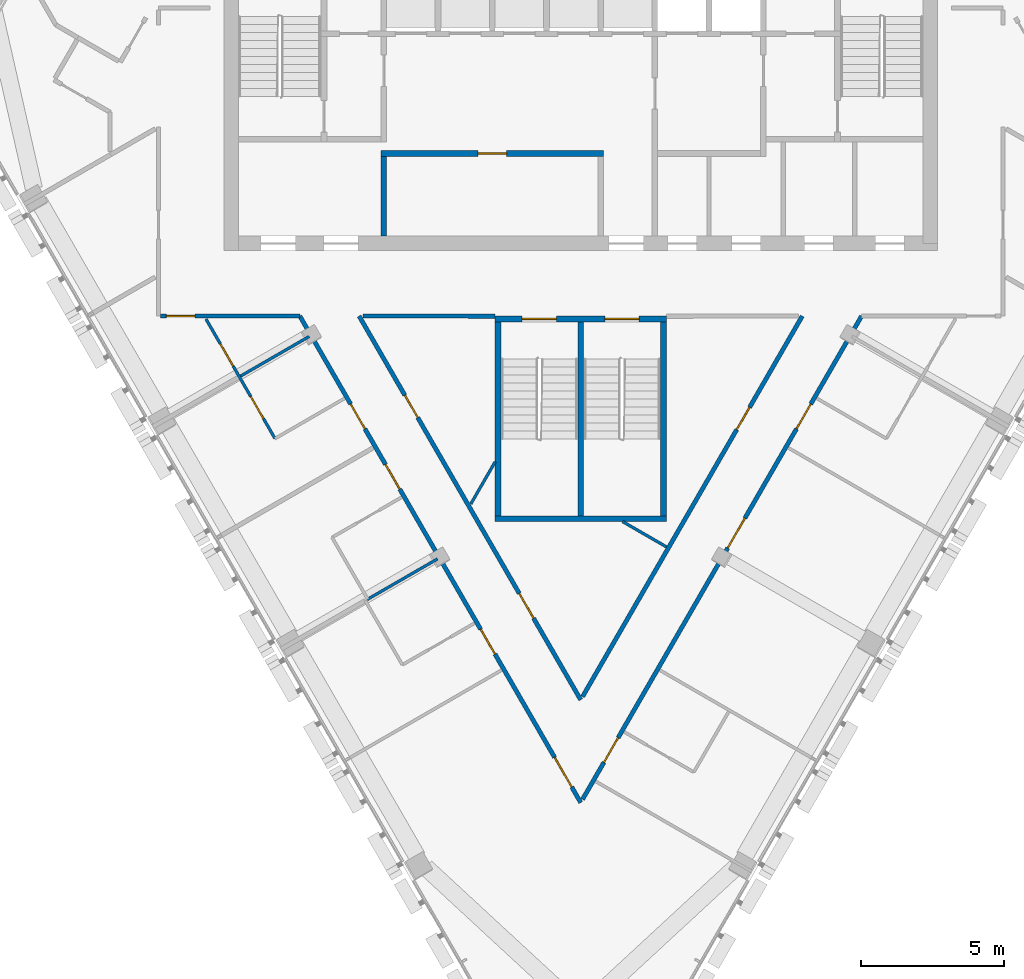
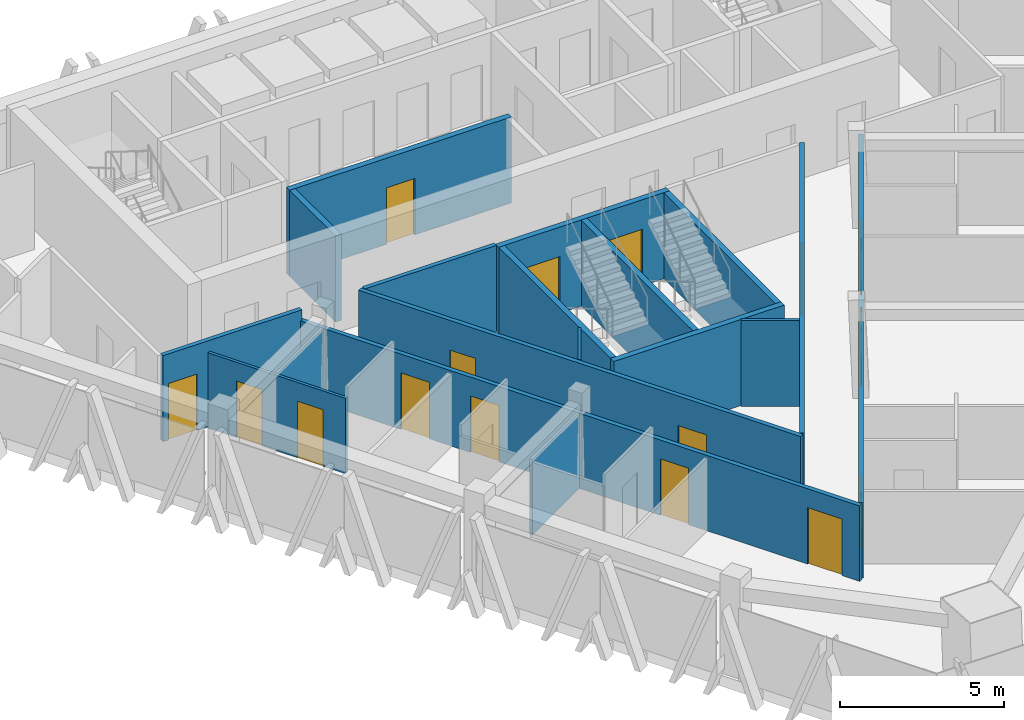
# One storey, part 8 of 14: 18 walls, 16 doors, 16 openings.
"""IFC4 building model written with IfcOpenShell, lengths in metres."""

import ifcopenshell
import ifcopenshell.guid

model = None  # the IFC model being written
_history = None  # IfcOwnerHistory: only IFC2X3 demands one
_inside = {}  # id of a spatial element -> (the spatial element, [elements in it])
_under = {}  # id of a project, library or spatial element -> (it, [spatial elements below it])
_declared = {}  # id of a project -> (the project, [libraries it declares])
_typed = {}  # id of a type object -> (the type object, [elements of that type])
_made_of = {}  # id of a material, layer set ... -> (it, [elements and type objects made of it])


def new_model(schema):
    """Start an empty IFC model of exactly this schema.

    Asked for "IFC4X3", IfcOpenShell would pick the latest addendum, in which some entities
    have other attributes; the version numbers below select the first issue.
    IFC2X3 requires an IfcOwnerHistory on every rooted entity: one is made here for all.
    """
    global model, _history
    if schema == "IFC4X3":
        model = ifcopenshell.file(schema_version=(4, 3, 0, 0))
    else:
        model = ifcopenshell.file(schema=schema)
    _inside.clear()
    _under.clear()
    _declared.clear()
    _typed.clear()
    _made_of.clear()
    _history = None
    if model.schema == "IFC2X3":
        org = make("IfcOrganization", Name="unknown")
        user = make(
            "IfcPersonAndOrganization",
            ThePerson=make("IfcPerson", FamilyName="unknown"),
            TheOrganization=org,
        )
        app = make(
            "IfcApplication",
            ApplicationDeveloper=org,
            Version="unknown",
            ApplicationFullName="unknown",
            ApplicationIdentifier="unknown",
        )
        _history = make(
            "IfcOwnerHistory",
            OwningUser=user,
            OwningApplication=app,
            ChangeAction="ADDED",
            CreationDate=0,
        )
    return model


def make(cls, **values):
    """One entity of the class cls with the attributes given. An attribute that is None is left unset."""
    return model.create_entity(
        cls, **{name: value for name, value in values.items() if value is not None}
    )


def rooted(cls, **values):
    """An entity with a GlobalId (a new one), such as an element, a storey or a relation."""
    return make(cls, GlobalId=ifcopenshell.guid.new(), OwnerHistory=_history, **values)


def si_unit(unit_type, name, prefix=None):
    """IfcSIUnit, for example si_unit("LENGTHUNIT", "METRE", prefix="MILLI")."""
    return make("IfcSIUnit", UnitType=unit_type, Prefix=prefix, Name=name)


def assignment(units):
    """IfcUnitAssignment: the units of a project."""
    return None if units is None else make("IfcUnitAssignment", Units=units)


def point(xyz):
    """IfcCartesianPoint."""
    return None if xyz is None else make("IfcCartesianPoint", Coordinates=xyz)


def direction(xyz):
    """IfcDirection."""
    return None if xyz is None else make("IfcDirection", DirectionRatios=xyz)


def frame(location, z_axis=None, x_axis=None):
    """IfcAxis2Placement3D, a coordinate frame: its origin and axes. An axis left out is left unset."""
    return make(
        "IfcAxis2Placement3D",
        Location=point(location),
        Axis=direction(z_axis),
        RefDirection=direction(x_axis),
    )


def frame_2d(location, x_axis=None):
    """IfcAxis2Placement2D, a coordinate frame in the plane: its origin and x axis."""
    return make(
        "IfcAxis2Placement2D", Location=point(location), RefDirection=direction(x_axis)
    )


def origin():
    """The frame at (0, 0, 0) with its axes left unset."""
    return frame((0.0, 0.0, 0.0))


def place(relative_to, where):
    """IfcLocalPlacement: puts the frame where relative to a parent placement (None: the world)."""
    return make(
        "IfcLocalPlacement", PlacementRelTo=relative_to, RelativePlacement=where
    )


def context(
    kind, dimensions, precision=None, world=None, true_north=None, identifier=None
):
    """IfcGeometricRepresentationContext, for example the 3D "Model" context."""
    return make(
        "IfcGeometricRepresentationContext",
        ContextIdentifier=identifier,
        ContextType=kind,
        CoordinateSpaceDimension=dimensions,
        Precision=precision,
        WorldCoordinateSystem=world,
        TrueNorth=true_north,
    )


def subcontext(parent, identifier, kind, view, scale=None):
    """IfcGeometricRepresentationSubContext, for example "Body" below "Model"."""
    return make(
        "IfcGeometricRepresentationSubContext",
        ContextIdentifier=identifier,
        ContextType=kind,
        ParentContext=parent,
        TargetScale=scale,
        TargetView=view,
    )


def project(units=None, contexts=None):
    """IfcProject with its units and contexts."""
    return rooted(
        "IfcProject",
        Name="project",
        RepresentationContexts=contexts,
        UnitsInContext=assignment(units),
    )


def spatial(cls, under=None, at=None, **own):
    """A site, building, storey or space (cls), placed at a placement, below another one or the project."""
    s = rooted(cls, ObjectPlacement=at, **own)
    if under is not None:
        _under.setdefault(under.id(), (under, []))[1].append(s)
    return s


def profile(cls, at=None, kind="AREA", **sizes):
    """A parametric profile (cls). Its sizes go by their IFC names, for example OverallWidth=200.0."""
    return make(cls, ProfileType=kind, Position=at, **sizes)


def rectangle(**sizes):
    """IfcRectangleProfileDef."""
    return profile("IfcRectangleProfileDef", **sizes)


def extrude(swept, where, along, depth):
    """IfcExtrudedAreaSolid: the profile swept, set in the frame where, extruded along a direction by depth."""
    return make(
        "IfcExtrudedAreaSolid",
        SweptArea=swept,
        Position=where,
        ExtrudedDirection=direction(along),
        Depth=depth,
    )


def shape(context_of_items, identifier, shape_type, items):
    """IfcShapeRepresentation: the items that make up one representation, for example the "Body"."""
    return make(
        "IfcShapeRepresentation",
        ContextOfItems=context_of_items,
        RepresentationIdentifier=identifier,
        RepresentationType=shape_type,
        Items=items,
    )


def material(Name=None, Category=None):
    """IfcMaterial."""
    return make("IfcMaterial", Name=Name, Category=Category)


def layer(
    of_material, thickness, ventilated=None, Name=None, Category=None, Priority=None
):
    """IfcMaterialLayer: one layer of a wall or slab, of a material (None: an air gap)."""
    return make(
        "IfcMaterialLayer",
        Material=of_material,
        LayerThickness=thickness,
        IsVentilated=ventilated,
        Name=Name,
        Category=Category,
        Priority=Priority,
    )


def layer_set(layers, Name=None):
    """IfcMaterialLayerSet."""
    return make("IfcMaterialLayerSet", MaterialLayers=layers, LayerSetName=Name)


def made_of(thing, what):
    """Note that an element or type object is made of a material, layer set ...; save() writes the relation."""
    if what is not None:
        _made_of.setdefault(what.id(), (what, []))[1].append(thing)
    return thing


def type_object(cls, material=None, **own):
    """A type object (cls), such as IfcWallType, which elements share."""
    return made_of(rooted(cls, **own), material)


def element(
    cls,
    number,
    at=None,
    inside=None,
    cuts=None,
    type_object=None,
    material=None,
    context=None,
    identifier="Body",
    shape_type=None,
    held_by="IfcProductDefinitionShape",
    body=None,
    shapes=None,
    **own,
):
    """One element of the class cls, such as IfcWall. Its Tag is "e" and its number.

    at: its placement. inside: the storey or other place that contains it. cuts: it is an
    opening in that element (IfcRelVoidsElement). A single representation is given by context,
    identifier, shape_type and body (its items); several are given by shapes. held_by: the class
    of the entity that holds the representations. save() writes the other relations.
    """
    e = rooted(cls, Tag="e%d" % number, ObjectPlacement=at, **own)
    if body is not None:
        shapes = [shape(context, identifier, shape_type, body)]
    if shapes is not None:
        e.Representation = make(held_by, Representations=shapes)
    if inside is not None:
        _inside.setdefault(inside.id(), (inside, []))[1].append(e)
    if cuts is not None:
        rooted(
            "IfcRelVoidsElement", RelatingBuildingElement=cuts, RelatedOpeningElement=e
        )
    if type_object is not None:
        _typed.setdefault(type_object.id(), (type_object, []))[1].append(e)
    return made_of(e, material)


def fill(opening, filler):
    """IfcRelFillsElement: the door or window that sits in an opening."""
    return rooted(
        "IfcRelFillsElement",
        RelatingOpeningElement=opening,
        RelatedBuildingElement=filler,
    )


def aggregate(whole, parts):
    """IfcRelAggregates: a whole, such as a stair, and the parts it consists of."""
    return rooted("IfcRelAggregates", RelatingObject=whole, RelatedObjects=parts)


def save(model, path):
    """Write the relations noted so far, then the file.

    IfcRelAggregates (storeys below a building ...), IfcRelContainedInSpatialStructure (elements
    in a storey), IfcRelDefinesByType, IfcRelAssociatesMaterial and IfcRelDeclares: one each for
    every whole, place, type object, material and project.
    """
    for whole, parts in _under.values():
        aggregate(whole, parts)
    for where, things in _inside.values():
        rooted(
            "IfcRelContainedInSpatialStructure",
            RelatedElements=things,
            RelatingStructure=where,
        )
    for kind, things in _typed.values():
        rooted("IfcRelDefinesByType", RelatedObjects=things, RelatingType=kind)
    for what, things in _made_of.values():
        rooted("IfcRelAssociatesMaterial", RelatedObjects=things, RelatingMaterial=what)
    for by, libraries in _declared.values():
        rooted("IfcRelDeclares", RelatingContext=by, RelatedDefinitions=libraries)
    model.write(path)


model = new_model("IFC4")

# Units and contexts
model_context = context("Model", 3, precision=1e-05, world=origin(), true_north=direction((0.0, 1.0)))
body_context = subcontext(model_context, "Body", "Model", "MODEL_VIEW")
ifc_project = project(units=[si_unit("LENGTHUNIT", "METRE"), si_unit("AREAUNIT", "SQUARE_METRE"), si_unit("VOLUMEUNIT", "CUBIC_METRE"), si_unit("PLANEANGLEUNIT", "RADIAN"), si_unit("MASSUNIT", "GRAM", prefix="KILO")], contexts=[model_context])

# Site, building, storey
site_placement = place(None, origin())
site = spatial("IfcSite", under=ifc_project, at=site_placement, CompositionType="ELEMENT")
building_placement = place(site_placement, origin())
building = spatial("IfcBuilding", under=site, at=building_placement, Name="Altiplano Prism Tower", CompositionType="ELEMENT")
storey_placement = place(building_placement, frame((0.0, 0.0, 268.0)))
storey = spatial("IfcBuildingStorey", under=building, at=storey_placement, Name="L69", CompositionType="ELEMENT", Elevation=268.0)

# Wall, openings, doors
ifc_material_1 = material(Name="Plasterboard on steel stud", Category="steel")
ifc_layer_1 = layer(ifc_material_1, 0.10009765625)
ifc_layer_set_1 = layer_set([ifc_layer_1], Name="Plasterboard on steel stud")
wall_type_1 = type_object("IfcWallType", Name="Partition 100 unit", PredefinedType="PARTITIONING", material=ifc_layer_set_1)
wall_1_placement = place(storey_placement, frame((74.2861328125, 86.306884765625, 0.0), z_axis=(0.0, 0.0, 1.0), x_axis=(-0.50000034515, 0.866025204512, 0.0)))
wall_1 = element("IfcWall", 1, at=wall_1_placement, inside=storey, type_object=wall_type_1, Name="Partition P02 L69 036", PredefinedType="PARTITIONING", context=body_context, shape_type="SweptSolid", body=[
    extrude(rectangle(XDim=4.841796875, YDim=0.10009765625, at=frame_2d((2.4208984375, 0.0))), origin(), (0.0, 0.0, 1.0), 2.800048828125),
])
opening_1_placement = place(wall_1_placement, frame((2.931884765625, 0.0, 0.0)))
opening_1 = element("IfcOpeningElement", 2, at=opening_1_placement, cuts=wall_1, Name="Opening D2185", PredefinedType="OPENING", context=body_context, shape_type="SweptSolid", body=[
    extrude(rectangle(XDim=0.89990234375, YDim=2.10009765625, at=frame_2d((0.449951171875, 1.050048828125))), frame((0.0, 0.060546875, 0.0), z_axis=(0.0, -1.0, 0.0), x_axis=(1.0, 0.0, 0.0)), (0.0, 0.0, 1.0), 0.12109375),
])
opening_2_placement = place(wall_1_placement, frame((0.800048828125, 0.0, 0.0)))
opening_2 = element("IfcOpeningElement", 3, at=opening_2_placement, cuts=wall_1, Name="Opening D2187", PredefinedType="OPENING", context=body_context, shape_type="SweptSolid", body=[
    extrude(rectangle(XDim=0.89990234375, YDim=2.10009765625, at=frame_2d((0.449951171875, 1.050048828125))), frame((0.0, 0.060546875, 0.0), z_axis=(0.0, -1.0, 0.0), x_axis=(1.0, 0.0, 0.0)), (0.0, 0.0, 1.0), 0.12109375),
])
ifc_material_2 = material(Name="Timber", Category="wood")
door_type_1 = type_object("IfcDoorType", Name="Ensuite door 900 x 2100", OperationType="NOTDEFINED", PredefinedType="NOTDEFINED", material=ifc_material_2)
door_1_placement = place(opening_1_placement, origin())
door_1 = element("IfcDoor", 4, at=door_1_placement, inside=storey, type_object=door_type_1, Name="Door D2185", OperationType="SINGLE_SWING_LEFT", OverallHeight=2.10009765625, OverallWidth=0.89990234375, PredefinedType="NOTDEFINED", context=body_context, shape_type="SweptSolid", body=[
    extrude(rectangle(XDim=0.89990234375, YDim=2.10009765625, at=frame_2d((0.449951171875, 1.050048828125))), frame((0.0, 0.02490234375, 0.0), z_axis=(0.0, -1.0, 0.0), x_axis=(1.0, 0.0, 0.0)), (0.0, 0.0, 1.0), 0.050048828125),
])
fill(opening_1, door_1)
door_2_placement = place(opening_2_placement, origin())
door_2 = element("IfcDoor", 5, at=door_2_placement, inside=storey, type_object=door_type_1, Name="Door D2187", OperationType="SINGLE_SWING_RIGHT", OverallHeight=2.10009765625, OverallWidth=0.89990234375, PredefinedType="NOTDEFINED", context=body_context, shape_type="SweptSolid", body=[
    extrude(rectangle(XDim=0.89990234375, YDim=2.10009765625, at=frame_2d((0.449951171875, 1.050048828125))), frame((0.0, 0.02490234375, 0.0), z_axis=(0.0, -1.0, 0.0), x_axis=(1.0, 0.0, 0.0)), (0.0, 0.0, 1.0), 0.050048828125),
])
fill(opening_2, door_2)

# Walls
ifc_layer_2 = layer(ifc_material_1, 0.10009765625)
ifc_layer_set_2 = layer_set([ifc_layer_2], Name="Plasterboard on steel stud")
wall_type_2 = type_object("IfcWallType", Name="Partition 100 wet", PredefinedType="PARTITIONING", material=ifc_layer_set_2)
wall_2_placement = place(storey_placement, frame((81.14990234375, 84.01806640625, 0.0), z_axis=(0.0, 0.0, 1.0), x_axis=(0.500000056704, 0.866025371046, 0.0)))
element("IfcWall", 6, at=wall_2_placement, inside=storey, type_object=wall_type_2, Name="Partition P03 L69 027", PredefinedType="PARTITIONING", context=body_context, shape_type="SweptSolid", body=[
    extrude(rectangle(XDim=1.7001953125, YDim=0.10009765625, at=frame_2d((0.85009765625, 0.0))), origin(), (0.0, 0.0, 1.0), 3.199951171875),
])
wall_3_placement = place(storey_placement, frame((86.46533203125, 83.39990234375, 0.0), z_axis=(0.0, 0.0, 1.0), x_axis=(0.866066891438, -0.49992813439, 0.0)))
element("IfcWall", 7, at=wall_3_placement, inside=storey, type_object=wall_type_2, Name="Partition P03 L69 028", PredefinedType="PARTITIONING", context=body_context, shape_type="SweptSolid", body=[
    extrude(rectangle(XDim=1.781005859375, YDim=0.10009765625, at=frame_2d((0.890625, 0.0))), origin(), (0.0, 0.0, 1.0), 3.199951171875),
])
wall_4_placement = place(storey_placement, frame((73.079345703125, 88.4970703125, 0.0), z_axis=(0.0, 0.0, 1.0), x_axis=(0.866020020486, 0.50000932403, 0.0)))
element("IfcWall", 8, at=wall_4_placement, inside=storey, type_object=wall_type_2, Name="Partition P03 L69 034", PredefinedType="PARTITIONING", context=body_context, shape_type="SweptSolid", body=[
    extrude(rectangle(XDim=2.77490234375, YDim=0.10009765625, at=frame_2d((1.387451171875, 0.0))), origin(), (0.0, 0.0, 1.0), 2.800048828125),
])
wall_5_placement = place(storey_placement, frame((77.518798828125, 80.667724609375, 0.0), z_axis=(0.0, 0.0, 1.0), x_axis=(0.865989785908, 0.500061686898, 0.0)))
element("IfcWall", 9, at=wall_5_placement, inside=storey, type_object=wall_type_2, Name="Partition P03 L69 041", PredefinedType="PARTITIONING", context=body_context, shape_type="SweptSolid", body=[
    extrude(rectangle(XDim=2.844970703125, YDim=0.10009765625, at=frame_2d((1.42236328125, 0.0))), origin(), (0.0, 0.0, 1.0), 2.800048828125),
])
ifc_layer_3 = layer(ifc_material_1, 0.14990234375)
ifc_layer_set_3 = layer_set([ifc_layer_3], Name="Plasterboard on steel stud")
wall_type_3 = type_object("IfcWallType", Name="Partition 150 corridor", PredefinedType="PARTITIONING", material=ifc_layer_set_3)
wall_6_placement = place(storey_placement, frame((77.364501953125, 90.599853515625, 0.0), z_axis=(0.0, 0.0, 1.0), x_axis=(0.999999987518, -0.000158002842, 0.0)))
element("IfcWall", 10, at=wall_6_placement, inside=storey, type_object=wall_type_3, Name="Partition P06 L69 001", PredefinedType="PARTITIONING", context=body_context, shape_type="SweptSolid", body=[
    extrude(rectangle(XDim=4.635498046875, YDim=0.14990234375, at=frame_2d((2.31787109375, 0.0))), origin(), (0.0, 0.0, 1.0), 3.199951171875),
])

# Wall, opening, door
wall_7_placement = place(storey_placement, frame((92.765380859375, 90.60009765625, 0.0), z_axis=(0.0, 0.0, 1.0), x_axis=(-0.499990489834, -0.866030894411, 0.0)))
wall_7 = element("IfcWall", 11, at=wall_7_placement, inside=storey, type_object=wall_type_3, Name="Partition P06 L69 003", PredefinedType="PARTITIONING", context=body_context, shape_type="SweptSolid", body=[
    extrude(rectangle(XDim=15.401123046875, YDim=0.14990234375, at=frame_2d((7.70068359375, 0.0))), origin(), (0.0, 0.0, 1.0), 3.199951171875),
])
opening_3_placement = place(wall_7_placement, frame((3.69189453125, 0.0, 0.0)))
opening_3 = element("IfcOpeningElement", 12, at=opening_3_placement, cuts=wall_7, Name="Opening D2180", PredefinedType="OPENING", context=body_context, shape_type="SweptSolid", body=[
    extrude(rectangle(XDim=0.89990234375, YDim=2.10009765625, at=frame_2d((0.449951171875, 1.050048828125))), frame((0.0, 0.08544921875, 0.0), z_axis=(0.0, -1.0, 0.0), x_axis=(1.0, 0.0, 0.0)), (0.0, 0.0, 1.0), 0.1708984375),
])
door_type_2 = type_object("IfcDoorType", Name="Toilet door 900 x 2100", OperationType="NOTDEFINED", PredefinedType="NOTDEFINED", material=ifc_material_2)
door_3_placement = place(opening_3_placement, origin())
door_3 = element("IfcDoor", 13, at=door_3_placement, inside=storey, type_object=door_type_2, Name="Door D2180", OperationType="SINGLE_SWING_RIGHT", OverallHeight=2.10009765625, OverallWidth=0.89990234375, PredefinedType="NOTDEFINED", context=body_context, shape_type="SweptSolid", body=[
    extrude(rectangle(XDim=0.89990234375, YDim=2.10009765625, at=frame_2d((0.449951171875, 1.050048828125))), frame((0.0, 0.02490234375, 0.0), z_axis=(0.0, -1.0, 0.0), x_axis=(1.0, 0.0, 0.0)), (0.0, 0.0, 1.0), 0.050048828125),
])
fill(opening_3, door_3)

# Wall, openings, doors
wall_8_placement = place(storey_placement, frame((85.0, 77.14990234375, 0.0), z_axis=(0.0, 0.0, 1.0), x_axis=(-0.499995507742, 0.866027997375, 0.0)))
wall_8 = element("IfcWall", 14, at=wall_8_placement, inside=storey, type_object=wall_type_3, Name="Partition P06 L69 004", PredefinedType="PARTITIONING", context=body_context, shape_type="SweptSolid", body=[
    extrude(rectangle(XDim=15.531005859375, YDim=0.14990234375, at=frame_2d((7.765625, 0.0))), origin(), (0.0, 0.0, 1.0), 3.199951171875),
])
opening_4_placement = place(wall_8_placement, frame((11.426025390625, 0.0, 0.0)))
opening_4 = element("IfcOpeningElement", 15, at=opening_4_placement, cuts=wall_8, Name="Opening D2179", PredefinedType="OPENING", context=body_context, shape_type="SweptSolid", body=[
    extrude(rectangle(XDim=0.89990234375, YDim=2.10009765625, at=frame_2d((0.449951171875, 1.050048828125))), frame((0.0, 0.08544921875, 0.0), z_axis=(0.0, -1.0, 0.0), x_axis=(1.0, 0.0, 0.0)), (0.0, 0.0, 1.0), 0.1708984375),
])
opening_5_placement = place(wall_8_placement, frame((3.302978515625, 0.0, 0.0)))
opening_5 = element("IfcOpeningElement", 16, at=opening_5_placement, cuts=wall_8, Name="Opening D2181", PredefinedType="OPENING", context=body_context, shape_type="SweptSolid", body=[
    extrude(rectangle(XDim=1.0, YDim=2.10009765625, at=frame_2d((0.5, 1.050048828125))), frame((0.0, 0.08544921875, 0.0), z_axis=(0.0, -1.0, 0.0), x_axis=(1.0, 0.0, 0.0)), (0.0, 0.0, 1.0), 0.1708984375),
])
door_type_3 = type_object("IfcDoorType", Name="Store door 1000 x 2100", OperationType="NOTDEFINED", PredefinedType="NOTDEFINED", material=ifc_material_2)
door_4_placement = place(opening_5_placement, origin())
door_4 = element("IfcDoor", 17, at=door_4_placement, inside=storey, type_object=door_type_3, Name="Door D2181", OperationType="SINGLE_SWING_LEFT", OverallHeight=2.10009765625, OverallWidth=1.0, PredefinedType="NOTDEFINED", context=body_context, shape_type="SweptSolid", body=[
    extrude(rectangle(XDim=1.0, YDim=2.10009765625, at=frame_2d((0.5, 1.050048828125))), frame((0.0, 0.02490234375, 0.0), z_axis=(0.0, -1.0, 0.0), x_axis=(1.0, 0.0, 0.0)), (0.0, 0.0, 1.0), 0.050048828125),
])
fill(opening_5, door_4)
door_5_placement = place(opening_4_placement, origin())
door_5 = element("IfcDoor", 18, at=door_5_placement, inside=storey, type_object=door_type_2, Name="Door D2179", OperationType="SINGLE_SWING_LEFT", OverallHeight=2.10009765625, OverallWidth=0.89990234375, PredefinedType="NOTDEFINED", context=body_context, shape_type="SweptSolid", body=[
    extrude(rectangle(XDim=0.89990234375, YDim=2.10009765625, at=frame_2d((0.449951171875, 1.050048828125))), frame((0.0, 0.02490234375, 0.0), z_axis=(0.0, -1.0, 0.0), x_axis=(1.0, 0.0, 0.0)), (0.0, 0.0, 1.0), 0.050048828125),
])
fill(opening_4, door_5)

# Wall, opening, door
wall_9_placement = place(storey_placement, frame((70.27490234375, 90.60009765625, 0.0), z_axis=(0.0, 0.0, 1.0), x_axis=(1.0, 0.0, 0.0)))
wall_9 = element("IfcWall", 19, at=wall_9_placement, inside=storey, type_object=wall_type_3, Name="Partition P06 L69 010", PredefinedType="PARTITIONING", context=body_context, shape_type="SweptSolid", body=[
    extrude(rectangle(XDim=4.881103515625, YDim=0.14990234375, at=frame_2d((2.4404296875, 0.0))), origin(), (0.0, 0.0, 1.0), 3.199951171875),
])
opening_6_placement = place(wall_9_placement, frame((0.199951171875, 0.0, 0.0)))
opening_6 = element("IfcOpeningElement", 20, at=opening_6_placement, cuts=wall_9, Name="Opening D2184", PredefinedType="OPENING", context=body_context, shape_type="SweptSolid", body=[
    extrude(rectangle(XDim=1.0, YDim=2.10009765625, at=frame_2d((0.5, 1.050048828125))), frame((0.0, 0.08544921875, 0.0), z_axis=(0.0, -1.0, 0.0), x_axis=(1.0, 0.0, 0.0)), (0.0, 0.0, 1.0), 0.1708984375),
])
door_type_4 = type_object("IfcDoorType", Name="Bedroom entrance door 1000 x 2100", OperationType="NOTDEFINED", PredefinedType="NOTDEFINED", material=ifc_material_2)
door_6_placement = place(opening_6_placement, origin())
door_6 = element("IfcDoor", 21, at=door_6_placement, inside=storey, type_object=door_type_4, Name="Door D2184", OperationType="SINGLE_SWING_LEFT", OverallHeight=2.10009765625, OverallWidth=1.0, PredefinedType="NOTDEFINED", context=body_context, shape_type="SweptSolid", body=[
    extrude(rectangle(XDim=1.0, YDim=2.10009765625, at=frame_2d((0.5, 1.050048828125))), frame((0.0, 0.02490234375, 0.0), z_axis=(0.0, -1.0, 0.0), x_axis=(1.0, 0.0, 0.0)), (0.0, 0.0, 1.0), 0.050048828125),
])
fill(opening_6, door_6)

# Wall, openings, doors
wall_10_placement = place(storey_placement, frame((75.156005859375, 90.60009765625, 0.0), z_axis=(0.0, 0.0, 1.0), x_axis=(0.500000110677, -0.866025339885, 0.0)))
wall_10 = element("IfcWall", 22, at=wall_10_placement, inside=storey, type_object=wall_type_3, Name="Partition P06 L69 011", PredefinedType="PARTITIONING", context=body_context, shape_type="SweptSolid", body=[
    extrude(rectangle(XDim=19.68798828125, YDim=0.14990234375, at=frame_2d((9.843994140625, 0.0))), origin(), (0.0, 0.0, 1.0), 2.800048828125),
])
opening_7_placement = place(wall_10_placement, frame((3.56201171875, 0.0, 0.0)))
opening_7 = element("IfcOpeningElement", 23, at=opening_7_placement, cuts=wall_10, Name="Opening D2186", PredefinedType="OPENING", context=body_context, shape_type="SweptSolid", body=[
    extrude(rectangle(XDim=1.0, YDim=2.10009765625, at=frame_2d((0.5, 1.050048828125))), frame((0.0, 0.08544921875, 0.0), z_axis=(0.0, -1.0, 0.0), x_axis=(1.0, 0.0, 0.0)), (0.0, 0.0, 1.0), 0.1708984375),
])
opening_8_placement = place(wall_10_placement, frame((6.0029296875, 0.0, 0.0)))
opening_8 = element("IfcOpeningElement", 24, at=opening_8_placement, cuts=wall_10, Name="Opening D2188", PredefinedType="OPENING", context=body_context, shape_type="SweptSolid", body=[
    extrude(rectangle(XDim=1.0, YDim=2.10009765625, at=frame_2d((0.5, 1.050048828125))), frame((0.0, 0.08544921875, 0.0), z_axis=(0.0, -1.0, 0.0), x_axis=(1.0, 0.0, 0.0)), (0.0, 0.0, 1.0), 0.1708984375),
])
opening_9_placement = place(wall_10_placement, frame((12.677978515625, 0.0, 0.0)))
opening_9 = element("IfcOpeningElement", 25, at=opening_9_placement, cuts=wall_10, Name="Opening D2190", PredefinedType="OPENING", context=body_context, shape_type="SweptSolid", body=[
    extrude(rectangle(XDim=1.0, YDim=2.10009765625, at=frame_2d((0.5, 1.050048828125))), frame((0.0, 0.08544921875, 0.0), z_axis=(0.0, -1.0, 0.0), x_axis=(1.0, 0.0, 0.0)), (0.0, 0.0, 1.0), 0.1708984375),
])
opening_10_placement = place(wall_10_placement, frame((17.85791015625, 0.0, 0.0)))
opening_10 = element("IfcOpeningElement", 26, at=opening_10_placement, cuts=wall_10, Name="Opening D2192", PredefinedType="OPENING", context=body_context, shape_type="SweptSolid", body=[
    extrude(rectangle(XDim=1.199951171875, YDim=2.10009765625, at=frame_2d((0.60009765625, 1.050048828125))), frame((0.0, 0.08544921875, 0.0), z_axis=(0.0, -1.0, 0.0), x_axis=(1.0, 0.0, 0.0)), (0.0, 0.0, 1.0), 0.1708984375),
])
door_7_placement = place(opening_7_placement, origin())
door_7 = element("IfcDoor", 27, at=door_7_placement, inside=storey, type_object=door_type_4, Name="Door D2186", OperationType="SINGLE_SWING_LEFT", OverallHeight=2.10009765625, OverallWidth=1.0, PredefinedType="NOTDEFINED", context=body_context, shape_type="SweptSolid", body=[
    extrude(rectangle(XDim=1.0, YDim=2.10009765625, at=frame_2d((0.5, 1.050048828125))), frame((0.0, 0.02490234375, 0.0), z_axis=(0.0, -1.0, 0.0), x_axis=(1.0, 0.0, 0.0)), (0.0, 0.0, 1.0), 0.050048828125),
])
fill(opening_7, door_7)
door_8_placement = place(opening_8_placement, origin())
door_8 = element("IfcDoor", 28, at=door_8_placement, inside=storey, type_object=door_type_4, Name="Door D2188", OperationType="SINGLE_SWING_LEFT", OverallHeight=2.10009765625, OverallWidth=1.0, PredefinedType="NOTDEFINED", context=body_context, shape_type="SweptSolid", body=[
    extrude(rectangle(XDim=1.0, YDim=2.10009765625, at=frame_2d((0.5, 1.050048828125))), frame((0.0, 0.02490234375, 0.0), z_axis=(0.0, -1.0, 0.0), x_axis=(1.0, 0.0, 0.0)), (0.0, 0.0, 1.0), 0.050048828125),
])
fill(opening_8, door_8)
door_9_placement = place(opening_9_placement, origin())
door_9 = element("IfcDoor", 29, at=door_9_placement, inside=storey, type_object=door_type_4, Name="Door D2190", OperationType="SINGLE_SWING_RIGHT", OverallHeight=2.10009765625, OverallWidth=1.0, PredefinedType="NOTDEFINED", context=body_context, shape_type="SweptSolid", body=[
    extrude(rectangle(XDim=1.0, YDim=2.10009765625, at=frame_2d((0.5, 1.050048828125))), frame((0.0, 0.02490234375, 0.0), z_axis=(0.0, -1.0, 0.0), x_axis=(1.0, 0.0, 0.0)), (0.0, 0.0, 1.0), 0.050048828125),
])
fill(opening_9, door_9)
door_type_5 = type_object("IfcDoorType", Name="Shared room door 1200 x 2100", OperationType="NOTDEFINED", PredefinedType="NOTDEFINED", material=ifc_material_2)
door_10_placement = place(opening_10_placement, origin())
door_10 = element("IfcDoor", 30, at=door_10_placement, inside=storey, type_object=door_type_5, Name="Door D2192", OperationType="SINGLE_SWING_LEFT", OverallHeight=2.10009765625, OverallWidth=1.199951171875, PredefinedType="NOTDEFINED", context=body_context, shape_type="SweptSolid", body=[
    extrude(rectangle(XDim=1.199951171875, YDim=2.10009765625, at=frame_2d((0.60009765625, 1.050048828125))), frame((0.0, 0.02490234375, 0.0), z_axis=(0.0, -1.0, 0.0), x_axis=(1.0, 0.0, 0.0)), (0.0, 0.0, 1.0), 0.050048828125),
])
fill(opening_10, door_10)

wall_11_placement = place(storey_placement, frame((85.06494140625, 73.662353515625, 0.0), z_axis=(0.0, 0.0, 1.0), x_axis=(0.500001595071, 0.866024482868, 0.0)))
wall_11 = element("IfcWall", 31, at=wall_11_placement, inside=storey, type_object=wall_type_3, Name="Partition P06 L69 012", PredefinedType="PARTITIONING", context=body_context, shape_type="SweptSolid", body=[
    extrude(rectangle(XDim=19.55810546875, YDim=0.14990234375, at=frame_2d((9.779052734375, 0.0))), origin(), (0.0, 0.0, 1.0), 2.800048828125),
])
opening_11_placement = place(wall_11_placement, frame((1.49609375, 0.0, 0.0)))
opening_11 = element("IfcOpeningElement", 32, at=opening_11_placement, cuts=wall_11, Name="Opening D2193", PredefinedType="OPENING", context=body_context, shape_type="SweptSolid", body=[
    extrude(rectangle(XDim=1.0, YDim=2.10009765625, at=frame_2d((0.5, 1.050048828125))), frame((0.0, 0.08544921875, 0.0), z_axis=(0.0, -1.0, 0.0), x_axis=(1.0, 0.0, 0.0)), (0.0, 0.0, 1.0), 0.1708984375),
])
opening_12_placement = place(wall_11_placement, frame((10.175048828125, 0.0, 0.0)))
opening_12 = element("IfcOpeningElement", 33, at=opening_12_placement, cuts=wall_11, Name="Opening D2195", PredefinedType="OPENING", context=body_context, shape_type="SweptSolid", body=[
    extrude(rectangle(XDim=1.199951171875, YDim=2.10009765625, at=frame_2d((0.60009765625, 1.050048828125))), frame((0.0, 0.08544921875, 0.0), z_axis=(0.0, -1.0, 0.0), x_axis=(1.0, 0.0, 0.0)), (0.0, 0.0, 1.0), 0.1708984375),
])
opening_13_placement = place(wall_11_placement, frame((14.99609375, 0.0, 0.0)))
opening_13 = element("IfcOpeningElement", 34, at=opening_13_placement, cuts=wall_11, Name="Opening D2196", PredefinedType="OPENING", context=body_context, shape_type="SweptSolid", body=[
    extrude(rectangle(XDim=1.0, YDim=2.10009765625, at=frame_2d((0.5, 1.050048828125))), frame((0.0, 0.08544921875, 0.0), z_axis=(0.0, -1.0, 0.0), x_axis=(1.0, 0.0, 0.0)), (0.0, 0.0, 1.0), 0.1708984375),
])
door_11_placement = place(opening_11_placement, origin())
door_11 = element("IfcDoor", 35, at=door_11_placement, inside=storey, type_object=door_type_4, Name="Door D2193", OperationType="SINGLE_SWING_LEFT", OverallHeight=2.10009765625, OverallWidth=1.0, PredefinedType="NOTDEFINED", context=body_context, shape_type="SweptSolid", body=[
    extrude(rectangle(XDim=1.0, YDim=2.10009765625, at=frame_2d((0.5, 1.050048828125))), frame((0.0, 0.02490234375, 0.0), z_axis=(0.0, -1.0, 0.0), x_axis=(1.0, 0.0, 0.0)), (0.0, 0.0, 1.0), 0.050048828125),
])
fill(opening_11, door_11)
door_12_placement = place(opening_13_placement, origin())
door_12 = element("IfcDoor", 36, at=door_12_placement, inside=storey, type_object=door_type_4, Name="Door D2196", OperationType="SINGLE_SWING_RIGHT", OverallHeight=2.10009765625, OverallWidth=1.0, PredefinedType="NOTDEFINED", context=body_context, shape_type="SweptSolid", body=[
    extrude(rectangle(XDim=1.0, YDim=2.10009765625, at=frame_2d((0.5, 1.050048828125))), frame((0.0, 0.02490234375, 0.0), z_axis=(0.0, -1.0, 0.0), x_axis=(1.0, 0.0, 0.0)), (0.0, 0.0, 1.0), 0.050048828125),
])
fill(opening_13, door_12)
door_13_placement = place(opening_12_placement, origin())
door_13 = element("IfcDoor", 37, at=door_13_placement, inside=storey, type_object=door_type_5, Name="Door D2195", OperationType="SINGLE_SWING_LEFT", OverallHeight=2.10009765625, OverallWidth=1.199951171875, PredefinedType="NOTDEFINED", context=body_context, shape_type="SweptSolid", body=[
    extrude(rectangle(XDim=1.199951171875, YDim=2.10009765625, at=frame_2d((0.60009765625, 1.050048828125))), frame((0.0, 0.02490234375, 0.0), z_axis=(0.0, -1.0, 0.0), x_axis=(1.0, 0.0, 0.0)), (0.0, 0.0, 1.0), 0.050048828125),
])
fill(opening_12, door_13)

ifc_material_3 = material(Name="Concrete C60/75", Category="concrete")
ifc_layer_4 = layer(ifc_material_3, 0.199951171875)
ifc_layer_set_4 = layer_set([ifc_layer_4], Name="Concrete C60/75")
wall_type_4 = type_object("IfcWallType", Name="Stair wall 200", PredefinedType="SOLIDWALL", material=ifc_layer_set_4)
wall_12_placement = place(storey_placement, frame((82.0, 90.5, 0.0), z_axis=(0.0, 0.0, 1.0), x_axis=(1.0, 0.0, 0.0)))
wall_12 = element("IfcWall", 38, at=wall_12_placement, inside=storey, type_object=wall_type_4, Name="Stair 3 wall north L69", PredefinedType="SOLIDWALL", context=body_context, shape_type="SweptSolid", body=[
    extrude(rectangle(XDim=6.0, YDim=0.199951171875, at=frame_2d((3.0, 0.0))), origin(), (0.0, 0.0, 1.0), 3.199951171875),
])
opening_14_placement = place(wall_12_placement, frame((0.949951171875, 0.0, 0.0)))
opening_14 = element("IfcOpeningElement", 39, at=opening_14_placement, cuts=wall_12, Name="Opening D4060", PredefinedType="OPENING", context=body_context, shape_type="SweptSolid", body=[
    extrude(rectangle(XDim=1.199951171875, YDim=2.10009765625, at=frame_2d((0.60009765625, 1.050048828125))), frame((0.0, 0.1103515625, 0.0), z_axis=(0.0, -1.0, 0.0), x_axis=(1.0, 0.0, 0.0)), (0.0, 0.0, 1.0), 0.220947265625),
])
opening_15_placement = place(wall_12_placement, frame((3.85009765625, 0.0, 0.0)))
opening_15 = element("IfcOpeningElement", 40, at=opening_15_placement, cuts=wall_12, Name="Opening D4061", PredefinedType="OPENING", context=body_context, shape_type="SweptSolid", body=[
    extrude(rectangle(XDim=1.199951171875, YDim=2.10009765625, at=frame_2d((0.60009765625, 1.050048828125))), frame((0.0, 0.1103515625, 0.0), z_axis=(0.0, -1.0, 0.0), x_axis=(1.0, 0.0, 0.0)), (0.0, 0.0, 1.0), 0.220947265625),
])
ifc_material_4 = material(Name="Fire-rated steel door", Category="steel")
door_type_6 = type_object("IfcDoorType", Name="Stair fire door 1200 x 2100", OperationType="NOTDEFINED", PredefinedType="NOTDEFINED", material=ifc_material_4)
door_14_placement = place(opening_14_placement, origin())
door_14 = element("IfcDoor", 41, at=door_14_placement, inside=storey, type_object=door_type_6, Name="Stair fire door D4060", OperationType="SINGLE_SWING_LEFT", OverallHeight=2.10009765625, OverallWidth=1.199951171875, PredefinedType="NOTDEFINED", context=body_context, shape_type="SweptSolid", body=[
    extrude(rectangle(XDim=1.199951171875, YDim=2.10009765625, at=frame_2d((0.60009765625, 1.050048828125))), frame((0.0, 0.02490234375, 0.0), z_axis=(0.0, -1.0, 0.0), x_axis=(1.0, 0.0, 0.0)), (0.0, 0.0, 1.0), 0.050048828125),
])
fill(opening_14, door_14)
door_15_placement = place(opening_15_placement, origin())
door_15 = element("IfcDoor", 42, at=door_15_placement, inside=storey, type_object=door_type_6, Name="Stair fire door D4061", OperationType="SINGLE_SWING_LEFT", OverallHeight=2.10009765625, OverallWidth=1.199951171875, PredefinedType="NOTDEFINED", context=body_context, shape_type="SweptSolid", body=[
    extrude(rectangle(XDim=1.199951171875, YDim=2.10009765625, at=frame_2d((0.60009765625, 1.050048828125))), frame((0.0, 0.02490234375, 0.0), z_axis=(0.0, -1.0, 0.0), x_axis=(1.0, 0.0, 0.0)), (0.0, 0.0, 1.0), 0.050048828125),
])
fill(opening_15, door_15)

# Walls
wall_13_placement = place(storey_placement, frame((82.0, 83.5, 0.0), z_axis=(0.0, 0.0, 1.0), x_axis=(1.0, 0.0, 0.0)))
element("IfcWall", 43, at=wall_13_placement, inside=storey, type_object=wall_type_4, Name="Stair 3 wall south L69", PredefinedType="SOLIDWALL", context=body_context, shape_type="SweptSolid", body=[
    extrude(rectangle(XDim=6.0, YDim=0.199951171875, at=frame_2d((3.0, 0.0))), origin(), (0.0, 0.0, 1.0), 3.199951171875),
])
for number, where, z_axis, x_axis, name in (
    (44, (82.10009765625, 83.60009765625, 0.0), (0.0, 0.0, 1.0), (0.0, 1.0, 0.0), "Stair 3 wall west L69"),
    (45, (87.89990234375, 83.60009765625, 0.0), (0.0, 0.0, 1.0), (0.0, 1.0, 0.0), "Stair 3 wall east L69"),
    (46, (85.0, 83.60009765625, 0.0), (0.0, 0.0, 1.0), (0.0, 1.0, 0.0), "Stair 3 wall divider L69"),
):
    element("IfcWall", number, at=place(storey_placement, frame(where, z_axis=z_axis, x_axis=x_axis)), inside=storey, type_object=wall_type_4, Name=name, PredefinedType="SOLIDWALL", context=body_context, shape_type="SweptSolid", body=[
        extrude(rectangle(XDim=6.7998046875, YDim=0.199951171875, at=frame_2d((3.39990234375, 0.0))), origin(), (0.0, 0.0, 1.0), 3.199951171875),
    ])
ifc_layer_5 = layer(ifc_material_3, 0.199951171875)
ifc_layer_set_5 = layer_set([ifc_layer_5], Name="Concrete C60/75")
wall_type_5 = type_object("IfcWallType", Name="Vestibule wall 200", PredefinedType="PARTITIONING", material=ifc_layer_set_5)
wall_14_placement = place(storey_placement, frame((78.10009765625, 93.39990234375, 0.0), z_axis=(0.0, 0.0, 1.0), x_axis=(0.0, 1.0, 0.0)))
element("IfcWall", 47, at=wall_14_placement, inside=storey, type_object=wall_type_5, Name="Vestibule wall L69", PredefinedType="PARTITIONING", context=body_context, shape_type="SweptSolid", body=[
    extrude(rectangle(XDim=2.800048828125, YDim=0.199951171875, at=frame_2d((1.39990234375, 0.0))), origin(), (0.0, 0.0, 1.0), 3.199951171875),
])

# Wall, opening, door
wall_15_placement = place(storey_placement, frame((78.0, 96.300048828125, 0.0), z_axis=(0.0, 0.0, 1.0), x_axis=(1.0, 0.0, 0.0)))
wall_15 = element("IfcWall", 48, at=wall_15_placement, inside=storey, type_object=wall_type_5, Name="Vestibule wall L69", PredefinedType="PARTITIONING", context=body_context, shape_type="SweptSolid", body=[
    extrude(rectangle(XDim=7.800048828125, YDim=0.199951171875, at=frame_2d((3.89990234375, 0.0))), origin(), (0.0, 0.0, 1.0), 3.199951171875),
])
opening_16_placement = place(wall_15_placement, frame((3.39990234375, 0.0, 0.0)))
opening_16 = element("IfcOpeningElement", 49, at=opening_16_placement, cuts=wall_15, Name="Opening D3561", PredefinedType="OPENING", context=body_context, shape_type="SweptSolid", body=[
    extrude(rectangle(XDim=1.0, YDim=2.10009765625, at=frame_2d((0.5, 1.050048828125))), frame((0.0, 0.1103515625, 0.0), z_axis=(0.0, -1.0, 0.0), x_axis=(1.0, 0.0, 0.0)), (0.0, 0.0, 1.0), 0.220947265625),
])
door_type_7 = type_object("IfcDoorType", Name="Core room door 1000 x 2100", OperationType="NOTDEFINED", PredefinedType="NOTDEFINED", material=ifc_material_4)
door_16_placement = place(opening_16_placement, origin())
door_16 = element("IfcDoor", 50, at=door_16_placement, inside=storey, type_object=door_type_7, Name="Core room door D3561", OperationType="SINGLE_SWING_RIGHT", OverallHeight=2.10009765625, OverallWidth=1.0, PredefinedType="NOTDEFINED", context=body_context, shape_type="SweptSolid", body=[
    extrude(rectangle(XDim=1.0, YDim=2.10009765625, at=frame_2d((0.5, 1.050048828125))), frame((0.0, 0.02490234375, 0.0), z_axis=(0.0, -1.0, 0.0), x_axis=(1.0, 0.0, 0.0)), (0.0, 0.0, 1.0), 0.050048828125),
])
fill(opening_16, door_16)

save(model, "model.ifc")
